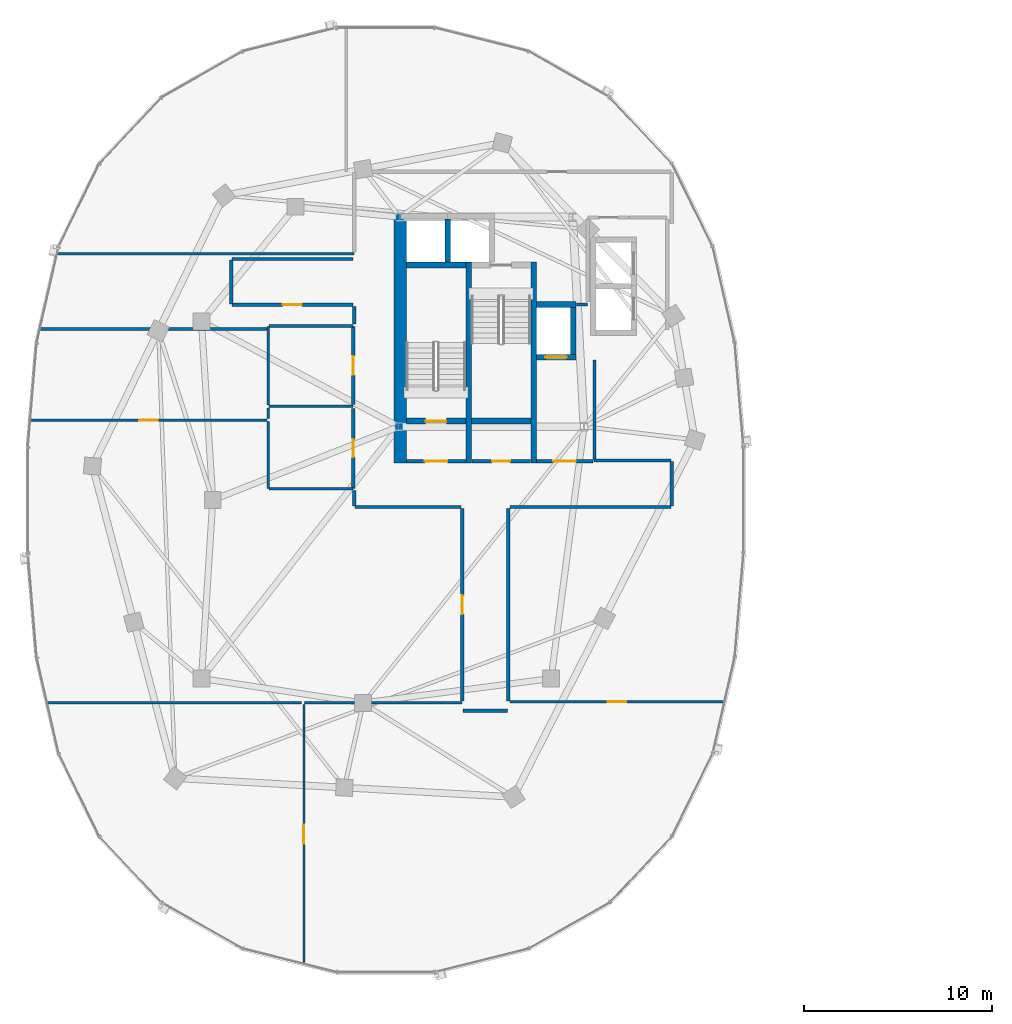
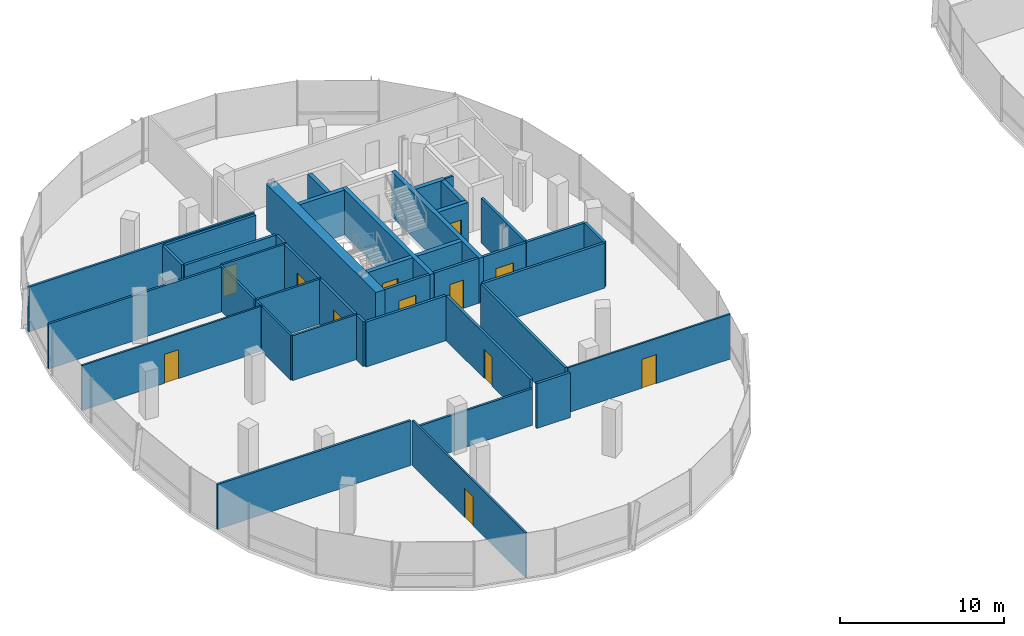
# One storey, part 15 of 25: 42 walls, 12 doors, 12 openings.
"""IFC4 building model written with IfcOpenShell, lengths in metres."""

from ifc_helpers import new_model, si_unit, direction, frame, frame_2d, origin, place, context, subcontext, project, spatial, rectangle, extrude, material, layer, layer_set, type_object, element, fill, save


model = new_model("IFC4")

# Units and contexts
model_context = context("Model", 3, precision=1e-05, world=origin(), true_north=direction((0.0, 1.0)))
body_context = subcontext(model_context, "Body", "Model", "MODEL_VIEW")
ifc_project = project(units=[si_unit("LENGTHUNIT", "METRE"), si_unit("AREAUNIT", "SQUARE_METRE"), si_unit("VOLUMEUNIT", "CUBIC_METRE"), si_unit("PLANEANGLEUNIT", "RADIAN"), si_unit("MASSUNIT", "GRAM", prefix="KILO"), si_unit("THERMODYNAMICTEMPERATUREUNIT", "KELVIN"), si_unit("POWERUNIT", "WATT")], contexts=[model_context])

# Site, building, storey
site_placement = place(None, origin())
site = spatial("IfcSite", under=ifc_project, at=site_placement, CompositionType="ELEMENT")
building_placement = place(site_placement, origin())
building = spatial("IfcBuilding", under=site, at=building_placement, Name="Cundina Bronze Exchange", CompositionType="ELEMENT")
storey_placement = place(building_placement, frame((0.0, 0.0, 217.0)))
storey = spatial("IfcBuildingStorey", under=building, at=storey_placement, Name="L57", CompositionType="ELEMENT", Elevation=217.0)

# Wall
ifc_material_1 = material(Name="Gypsum Fireboard Partition EI120")
ifc_layer_1 = layer(ifc_material_1, 0.179931640625, Name="Gypsum Fireboard Partition EI120")
ifc_layer_set_1 = layer_set([ifc_layer_1], Name="Gypsum Fireboard Partition EI120")
wall_type_1 = type_object("IfcWallType", Name="WL-COR-180", PredefinedType="PARTITIONING", material=ifc_layer_set_1)
wall_1_placement = place(storey_placement, frame((-20.889892578125, 2.14990234375, 0.0), z_axis=(0.0, 0.0, 1.0), x_axis=(0.0, 1.0, 0.0)))
element("IfcWall", 1, at=wall_1_placement, inside=storey, type_object=wall_type_1, Name="L57 W Firefighting Lobby Side Wall", PredefinedType="PARTITIONING", context=body_context, shape_type="SweptSolid", body=[
    extrude(rectangle(XDim=5.300048828125, YDim=0.179931640625, at=frame_2d((2.64990234375, 0.0))), origin(), (0.0, 0.0, 1.0), 3.340087890625),
])

# Wall, opening, door
wall_2_placement = place(storey_placement, frame((-23.97998046875, 2.06005859375, 0.0), z_axis=(0.0, 0.0, 1.0), x_axis=(1.0, 0.0, 0.0)))
wall_2 = element("IfcWall", 2, at=wall_2_placement, inside=storey, type_object=wall_type_1, Name="L57 W Firefighting Lobby Exit Wall", PredefinedType="PARTITIONING", context=body_context, shape_type="SweptSolid", body=[
    extrude(rectangle(XDim=3.0, YDim=0.179931640625, at=frame_2d((1.5, 0.0))), origin(), (0.0, 0.0, 1.0), 3.340087890625),
])
opening_1_placement = place(wall_2_placement, frame((0.89990234375, 0.0, 0.0)))
opening_1 = element("IfcOpeningElement", 3, at=opening_1_placement, cuts=wall_2, Name="Opening DF-01", PredefinedType="OPENING", context=body_context, shape_type="SweptSolid", body=[
    extrude(rectangle(XDim=1.199951171875, YDim=2.14990234375, at=frame_2d((0.60009765625, 1.074951171875))), frame((0.0, 0.099853515625, 0.0), z_axis=(0.0, -1.0, 0.0), x_axis=(1.0, 0.0, 0.0)), (0.0, 0.0, 1.0), 0.199951171875),
])
ifc_material_2 = material(Name="Steel ASTM A36 Painted", Category="steel")
door_type_1 = type_object("IfcDoorType", Name="DR-FFL-1200", OperationType="NOTDEFINED", PredefinedType="DOOR", material=ifc_material_2)
door_1_placement = place(opening_1_placement, origin())
door_1 = element("IfcDoor", 4, at=door_1_placement, inside=storey, type_object=door_type_1, Name="L57 W Firefighting Lobby Door", OperationType="SINGLE_SWING_RIGHT", OverallHeight=2.14990234375, OverallWidth=1.199951171875, PredefinedType="DOOR", context=body_context, shape_type="SweptSolid", body=[
    extrude(rectangle(XDim=1.199951171875, YDim=2.14990234375, at=frame_2d((0.60009765625, 1.074951171875))), frame((0.0, 0.02490234375, 0.0), z_axis=(0.0, -1.0, 0.0), x_axis=(1.0, 0.0, 0.0)), (0.0, 0.0, 1.0), 0.050048828125),
])
fill(opening_1, door_1)

wall_3_placement = place(storey_placement, frame((-30.89990234375, 2.06005859375, 0.0), z_axis=(0.0, 0.0, 1.0), x_axis=(1.0, 0.0, 0.0)))
wall_3 = element("IfcWall", 5, at=wall_3_placement, inside=storey, type_object=wall_type_1, Name="L57 W Stair Vestibule Exit Wall", PredefinedType="PARTITIONING", context=body_context, shape_type="SweptSolid", body=[
    extrude(rectangle(XDim=3.159912109375, YDim=0.179931640625, at=frame_2d((1.580078125, 0.0))), origin(), (0.0, 0.0, 1.0), 3.340087890625),
])
opening_2_placement = place(wall_3_placement, frame((0.97998046875, 0.0, 0.0)))
opening_2 = element("IfcOpeningElement", 6, at=opening_2_placement, cuts=wall_3, Name="Opening DF-01", PredefinedType="OPENING", context=body_context, shape_type="SweptSolid", body=[
    extrude(rectangle(XDim=1.199951171875, YDim=2.14990234375, at=frame_2d((0.60009765625, 1.074951171875))), frame((0.0, 0.099853515625, 0.0), z_axis=(0.0, -1.0, 0.0), x_axis=(1.0, 0.0, 0.0)), (0.0, 0.0, 1.0), 0.199951171875),
])
door_2_placement = place(opening_2_placement, origin())
door_2 = element("IfcDoor", 7, at=door_2_placement, inside=storey, type_object=door_type_1, Name="L57 W Stair Vestibule Door", OperationType="SINGLE_SWING_LEFT", OverallHeight=2.14990234375, OverallWidth=1.199951171875, PredefinedType="DOOR", context=body_context, shape_type="SweptSolid", body=[
    extrude(rectangle(XDim=1.199951171875, YDim=2.14990234375, at=frame_2d((0.60009765625, 1.074951171875))), frame((0.0, 0.02490234375, 0.0), z_axis=(0.0, -1.0, 0.0), x_axis=(1.0, 0.0, 0.0)), (0.0, 0.0, 1.0), 0.050048828125),
])
fill(opening_2, door_2)

wall_4_placement = place(storey_placement, frame((-27.419921875, 2.070068359375, 0.0), z_axis=(0.0, 0.0, 1.0), x_axis=(1.0, 0.0, 0.0)))
wall_4 = element("IfcWall", 8, at=wall_4_placement, inside=storey, type_object=wall_type_1, Name="L57 Interior Partition 006", PredefinedType="PARTITIONING", context=body_context, shape_type="SweptSolid", body=[
    extrude(rectangle(XDim=3.119873046875, YDim=0.179931640625, at=frame_2d((1.56005859375, 0.0))), origin(), (0.0, 0.0, 1.0), 3.340087890625),
])
opening_3_placement = place(wall_4_placement, frame((1.0849609375, 0.0, 0.0)))
opening_3 = element("IfcOpeningElement", 9, at=opening_3_placement, cuts=wall_4, Name="Opening DW-01", PredefinedType="OPENING", context=body_context, shape_type="SweptSolid", body=[
    extrude(rectangle(XDim=0.949951171875, YDim=2.10009765625, at=frame_2d((0.47509765625, 1.050048828125))), frame((0.0, 0.099853515625, 0.0), z_axis=(0.0, -1.0, 0.0), x_axis=(1.0, 0.0, 0.0)), (0.0, 0.0, 1.0), 0.199951171875),
])
ifc_material_3 = material(Name="Solid Andean Oak Timber Grade A", Category="wood")
door_type_2 = type_object("IfcDoorType", Name="DR-WC-950", OperationType="NOTDEFINED", PredefinedType="DOOR", material=ifc_material_3)
door_3_placement = place(opening_3_placement, origin())
door_3 = element("IfcDoor", 10, at=door_3_placement, inside=storey, type_object=door_type_2, Name="L57 Interior Door 006", OperationType="SINGLE_SWING_RIGHT", OverallHeight=2.10009765625, OverallWidth=0.949951171875, PredefinedType="DOOR", context=body_context, shape_type="SweptSolid", body=[
    extrude(rectangle(XDim=0.949951171875, YDim=2.10009765625, at=frame_2d((0.47509765625, 1.050048828125))), frame((0.0, 0.02490234375, 0.0), z_axis=(0.0, -1.0, 0.0), x_axis=(1.0, 0.0, 0.0)), (0.0, 0.0, 1.0), 0.050048828125),
])
fill(opening_3, door_3)

wall_5_placement = place(storey_placement, frame((-33.719970703125, 0.6201171875, 0.0), z_axis=(0.0, 0.0, 1.0), x_axis=(0.0, 1.0, 0.0)))
wall_5 = element("IfcWall", 11, at=wall_5_placement, inside=storey, type_object=wall_type_1, Name="L57 Interior Partition 013", PredefinedType="PARTITIONING", context=body_context, shape_type="SweptSolid", body=[
    extrude(rectangle(XDim=4.259765625, YDim=0.179931640625, at=frame_2d((2.1298828125, 0.0))), origin(), (0.0, 0.0, 1.0), 3.340087890625),
])
opening_4_placement = place(wall_5_placement, frame((1.655029296875, 0.0, 0.0)))
opening_4 = element("IfcOpeningElement", 12, at=opening_4_placement, cuts=wall_5, Name="Opening DW-01", PredefinedType="OPENING", context=body_context, shape_type="SweptSolid", body=[
    extrude(rectangle(XDim=0.949951171875, YDim=2.10009765625, at=frame_2d((0.47509765625, 1.050048828125))), frame((0.0, 0.099853515625, 0.0), z_axis=(0.0, -1.0, 0.0), x_axis=(1.0, 0.0, 0.0)), (0.0, 0.0, 1.0), 0.199951171875),
])
door_4_placement = place(opening_4_placement, origin())
door_4 = element("IfcDoor", 13, at=door_4_placement, inside=storey, type_object=door_type_2, Name="L57 Interior Door 013", OperationType="SINGLE_SWING_RIGHT", OverallHeight=2.10009765625, OverallWidth=0.949951171875, PredefinedType="DOOR", context=body_context, shape_type="SweptSolid", body=[
    extrude(rectangle(XDim=0.949951171875, YDim=2.10009765625, at=frame_2d((0.47509765625, 1.050048828125))), frame((0.0, 0.02490234375, 0.0), z_axis=(0.0, -1.0, 0.0), x_axis=(1.0, 0.0, 0.0)), (0.0, 0.0, 1.0), 0.050048828125),
])
fill(opening_4, door_4)

wall_6_placement = place(storey_placement, frame((-33.719970703125, 5.080078125, 0.0), z_axis=(0.0, 0.0, 1.0), x_axis=(0.0, 1.0, 0.0)))
wall_6 = element("IfcWall", 14, at=wall_6_placement, inside=storey, type_object=wall_type_1, Name="L57 Interior Partition 014", PredefinedType="PARTITIONING", context=body_context, shape_type="SweptSolid", body=[
    extrude(rectangle(XDim=4.159912109375, YDim=0.179931640625, at=frame_2d((2.080078125, 0.0))), origin(), (0.0, 0.0, 1.0), 3.340087890625),
])
opening_5_placement = place(wall_6_placement, frame((1.580078125, 0.0, 0.0)))
opening_5 = element("IfcOpeningElement", 15, at=opening_5_placement, cuts=wall_6, Name="Opening DO-01", PredefinedType="OPENING", context=body_context, shape_type="SweptSolid", body=[
    extrude(rectangle(XDim=1.0, YDim=2.14990234375, at=frame_2d((0.5, 1.074951171875))), frame((0.0, 0.099853515625, 0.0), z_axis=(0.0, -1.0, 0.0), x_axis=(1.0, 0.0, 0.0)), (0.0, 0.0, 1.0), 0.199951171875),
])
door_type_3 = type_object("IfcDoorType", Name="DR-OFF-1000", OperationType="NOTDEFINED", PredefinedType="DOOR", material=ifc_material_3)
door_5_placement = place(opening_5_placement, origin())
door_5 = element("IfcDoor", 16, at=door_5_placement, inside=storey, type_object=door_type_3, Name="L57 Interior Door 014", OperationType="SINGLE_SWING_RIGHT", OverallHeight=2.14990234375, OverallWidth=1.0, PredefinedType="DOOR", context=body_context, shape_type="SweptSolid", body=[
    extrude(rectangle(XDim=1.0, YDim=2.14990234375, at=frame_2d((0.5, 1.074951171875))), frame((0.0, 0.02490234375, 0.0), z_axis=(0.0, -1.0, 0.0), x_axis=(1.0, 0.0, 0.0)), (0.0, 0.0, 1.0), 0.050048828125),
])
fill(opening_5, door_5)

# Wall
wall_7_placement = place(storey_placement, frame((-27.87841796875, -11.219970703125, 0.0), z_axis=(0.0, 0.0, 1.0), x_axis=(1.0, 0.0, 0.0)))
element("IfcWall", 17, at=wall_7_placement, inside=storey, type_object=wall_type_1, Name="L57 Interior Partition 020", PredefinedType="PARTITIONING", context=body_context, shape_type="SweptSolid", body=[
    extrude(rectangle(XDim=2.35693359375, YDim=0.179931640625, at=frame_2d((1.178466796875, 0.0))), origin(), (0.0, 0.0, 1.0), 3.340087890625),
])

# Wall, opening, door
wall_8_placement = place(storey_placement, frame((-27.919921875, -0.449951171875, 0.0), z_axis=(0.0, 0.0, 1.0), x_axis=(0.0, -1.0, 0.0)))
wall_8 = element("IfcWall", 18, at=wall_8_placement, inside=storey, type_object=wall_type_1, Name="L57 Interior Partition 021", PredefinedType="PARTITIONING", context=body_context, shape_type="SweptSolid", body=[
    extrude(rectangle(XDim=10.25, YDim=0.179931640625, at=frame_2d((5.125, 0.0))), origin(), (0.0, 0.0, 1.0), 3.340087890625),
])
opening_6_placement = place(wall_8_placement, frame((4.625, 0.0, 0.0)))
opening_6 = element("IfcOpeningElement", 19, at=opening_6_placement, cuts=wall_8, Name="Opening DO-01", PredefinedType="OPENING", context=body_context, shape_type="SweptSolid", body=[
    extrude(rectangle(XDim=1.0, YDim=2.14990234375, at=frame_2d((0.5, 1.074951171875))), frame((0.0, 0.099853515625, 0.0), z_axis=(0.0, -1.0, 0.0), x_axis=(1.0, 0.0, 0.0)), (0.0, 0.0, 1.0), 0.199951171875),
])
door_6_placement = place(opening_6_placement, origin())
door_6 = element("IfcDoor", 20, at=door_6_placement, inside=storey, type_object=door_type_3, Name="L57 Interior Door 021", OperationType="SINGLE_SWING_LEFT", OverallHeight=2.14990234375, OverallWidth=1.0, PredefinedType="DOOR", context=body_context, shape_type="SweptSolid", body=[
    extrude(rectangle(XDim=1.0, YDim=2.14990234375, at=frame_2d((0.5, 1.074951171875))), frame((0.0, 0.02490234375, 0.0), z_axis=(0.0, -1.0, 0.0), x_axis=(1.0, 0.0, 0.0)), (0.0, 0.0, 1.0), 0.050048828125),
])
fill(opening_6, door_6)

# Walls
wall_9_placement = place(storey_placement, frame((-33.62841796875, -0.3701171875, 0.0), z_axis=(0.0, 0.0, 1.0), x_axis=(1.0, 0.0, 0.0)))
element("IfcWall", 21, at=wall_9_placement, inside=storey, type_object=wall_type_1, Name="L57 Interior Partition 022", PredefinedType="PARTITIONING", context=body_context, shape_type="SweptSolid", body=[
    extrude(rectangle(XDim=5.62841796875, YDim=0.179931640625, at=frame_2d((2.814208984375, 0.0))), origin(), (0.0, 0.0, 1.0), 3.340087890625),
])
wall_10_placement = place(storey_placement, frame((-33.669921875, 0.508544921875, 0.0), z_axis=(0.0, 0.0, 1.0), x_axis=(0.0, -1.0, 0.0)))
element("IfcWall", 22, at=wall_10_placement, inside=storey, type_object=wall_type_1, Name="L57 Interior Partition 023", PredefinedType="PARTITIONING", context=body_context, shape_type="SweptSolid", body=[
    extrude(rectangle(XDim=0.837158203125, YDim=0.179931640625, at=frame_2d((0.41845703125, 0.0))), origin(), (0.0, 0.0, 1.0), 3.340087890625),
])
wall_11_placement = place(storey_placement, frame((-25.47998046875, -10.699951171875, 0.0), z_axis=(0.0, 0.0, 1.0), x_axis=(0.0, 1.0, 0.0)))
element("IfcWall", 23, at=wall_11_placement, inside=storey, type_object=wall_type_1, Name="L57 Interior Partition 025", PredefinedType="PARTITIONING", context=body_context, shape_type="SweptSolid", body=[
    extrude(rectangle(XDim=10.25, YDim=0.179931640625, at=frame_2d((5.125, 0.0))), origin(), (0.0, 0.0, 1.0), 3.340087890625),
])
wall_12_placement = place(storey_placement, frame((-25.39990234375, -0.3701171875, 0.0), z_axis=(0.0, 0.0, 1.0), x_axis=(1.0, 0.0, 0.0)))
element("IfcWall", 24, at=wall_12_placement, inside=storey, type_object=wall_type_1, Name="L57 Interior Partition 026", PredefinedType="PARTITIONING", context=body_context, shape_type="SweptSolid", body=[
    extrude(rectangle(XDim=8.578369140625, YDim=0.179931640625, at=frame_2d((4.2890625, 0.0))), origin(), (0.0, 0.0, 1.0), 3.340087890625),
])
wall_13_placement = place(storey_placement, frame((-16.821533203125, 2.10009765625, 0.0), z_axis=(0.0, 0.0, 1.0), x_axis=(-1.0, 0.0, 0.0)))
element("IfcWall", 25, at=wall_13_placement, inside=storey, type_object=wall_type_1, Name="L57 Interior Partition 028", PredefinedType="PARTITIONING", context=body_context, shape_type="SweptSolid", body=[
    extrude(rectangle(XDim=4.098388671875, YDim=0.179931640625, at=frame_2d((2.04931640625, 0.0))), origin(), (0.0, 0.0, 1.0), 3.340087890625),
])
wall_14_placement = place(storey_placement, frame((-16.780029296875, -0.32861328125, 0.0), z_axis=(0.0, 0.0, 1.0), x_axis=(0.0, 1.0, 0.0)))
element("IfcWall", 26, at=wall_14_placement, inside=storey, type_object=wall_type_1, Name="L57 Interior Partition 030", PredefinedType="PARTITIONING", context=body_context, shape_type="SweptSolid", body=[
    extrude(rectangle(XDim=2.38720703125, YDim=0.179931640625, at=frame_2d((1.193603515625, 0.0))), origin(), (0.0, 0.0, 1.0), 3.340087890625),
])
wall_15_placement = place(storey_placement, frame((-33.75, 12.820068359375, 0.0), z_axis=(0.0, 0.0, 1.0), x_axis=(-1.0, 0.0, 0.0)))
element("IfcWall", 27, at=wall_15_placement, inside=storey, type_object=wall_type_1, Name="L57 Interior Partition 031", PredefinedType="PARTITIONING", context=body_context, shape_type="SweptSolid", body=[
    extrude(rectangle(XDim=6.428466796875, YDim=0.179931640625, at=frame_2d((3.21435546875, 0.0))), origin(), (0.0, 0.0, 1.0), 3.340087890625),
])

# Wall, opening, door
wall_16_placement = place(storey_placement, frame((-40.178466796875, 10.3798828125, 0.0), z_axis=(0.0, 0.0, 1.0), x_axis=(1.0, 0.0, 0.0)))
wall_16 = element("IfcWall", 28, at=wall_16_placement, inside=storey, type_object=wall_type_1, Name="L57 Interior Partition 032", PredefinedType="PARTITIONING", context=body_context, shape_type="SweptSolid", body=[
    extrude(rectangle(XDim=6.428466796875, YDim=0.179931640625, at=frame_2d((3.21435546875, 0.0))), origin(), (0.0, 0.0, 1.0), 3.340087890625),
])
opening_7_placement = place(wall_16_placement, frame((2.714111328125, 0.0, 0.0)))
opening_7 = element("IfcOpeningElement", 29, at=opening_7_placement, cuts=wall_16, Name="Opening DO-01", PredefinedType="OPENING", context=body_context, shape_type="SweptSolid", body=[
    extrude(rectangle(XDim=1.0, YDim=2.14990234375, at=frame_2d((0.5, 1.074951171875))), frame((0.0, 0.099853515625, 0.0), z_axis=(0.0, -1.0, 0.0), x_axis=(1.0, 0.0, 0.0)), (0.0, 0.0, 1.0), 0.199951171875),
])
door_7_placement = place(opening_7_placement, origin())
door_7 = element("IfcDoor", 30, at=door_7_placement, inside=storey, type_object=door_type_3, Name="L57 Interior Door 032", OperationType="SINGLE_SWING_RIGHT", OverallHeight=2.14990234375, OverallWidth=1.0, PredefinedType="DOOR", context=body_context, shape_type="SweptSolid", body=[
    extrude(rectangle(XDim=1.0, YDim=2.14990234375, at=frame_2d((0.5, 1.074951171875))), frame((0.0, 0.02490234375, 0.0), z_axis=(0.0, -1.0, 0.0), x_axis=(1.0, 0.0, 0.0)), (0.0, 0.0, 1.0), 0.050048828125),
])
fill(opening_7, door_7)

# Walls
wall_17_placement = place(storey_placement, frame((-40.219970703125, 12.778564453125, 0.0), z_axis=(0.0, 0.0, 1.0), x_axis=(0.0, -1.0, 0.0)))
element("IfcWall", 31, at=wall_17_placement, inside=storey, type_object=wall_type_1, Name="L57 Interior Partition 033", PredefinedType="PARTITIONING", context=body_context, shape_type="SweptSolid", body=[
    extrude(rectangle(XDim=2.357177734375, YDim=0.179931640625, at=frame_2d((1.1787109375, 0.0))), origin(), (0.0, 0.0, 1.0), 3.340087890625),
])
wall_18_placement = place(storey_placement, frame((-33.669921875, 10.300048828125, 0.0), z_axis=(0.0, 0.0, 1.0), x_axis=(0.0, -1.0, 0.0)))
element("IfcWall", 32, at=wall_18_placement, inside=storey, type_object=wall_type_1, Name="L57 Interior Partition 034", PredefinedType="PARTITIONING", context=body_context, shape_type="SweptSolid", body=[
    extrude(rectangle(XDim=0.94873046875, YDim=0.179931640625, at=frame_2d((0.474365234375, 0.0))), origin(), (0.0, 0.0, 1.0), 3.340087890625),
])
ifc_material_4 = material(Name="Concrete C50/60", Category="concrete")
ifc_layer_2 = layer(ifc_material_4, 0.64990234375, Name="Concrete C50/60", Category="concrete")
ifc_layer_set_2 = layer_set([ifc_layer_2], Name="Concrete C50/60")
wall_type_2 = type_object("IfcWallType", Name="WL-CORE-650", PredefinedType="SHEAR", material=ifc_layer_set_2)
wall_19_placement = place(storey_placement, frame((-31.22509765625, 1.969970703125, 0.0), z_axis=(0.0, 0.0, 1.0), x_axis=(0.0, 1.0, 0.0)))
element("IfcWall", 33, at=wall_19_placement, inside=storey, type_object=wall_type_2, Name="L57 W Primary Core Shear Spine Wall", PredefinedType="SHEAR", context=body_context, shape_type="SweptSolid", body=[
    extrude(rectangle(XDim=13.330078125, YDim=0.64990234375, at=frame_2d((6.6650390625, 0.0))), origin(), (0.0, 0.0, 1.0), 3.340087890625),
])

# Wall, opening, door
ifc_material_5 = material(Name="Gypsum Acoustic Partition EI60")
ifc_layer_3 = layer(ifc_material_5, 0.125, Name="Gypsum Acoustic Partition EI60")
ifc_layer_set_3 = layer_set([ifc_layer_3], Name="Gypsum Acoustic Partition EI60")
wall_type_3 = type_object("IfcWallType", Name="WL-OFF-125", PredefinedType="PARTITIONING", material=ifc_layer_set_3)
wall_20_placement = place(storey_placement, frame((-25.39990234375, -10.739990234375, 0.0), z_axis=(0.0, 0.0, 1.0), x_axis=(1.0, 0.0, 0.0)))
wall_20 = element("IfcWall", 34, at=wall_20_placement, inside=storey, type_object=wall_type_3, Name="L57 Interior Partition 035", PredefinedType="PARTITIONING", context=body_context, shape_type="SweptSolid", body=[
    extrude(rectangle(XDim=11.414794921875, YDim=0.125, at=frame_2d((5.70751953125, 0.0))), origin(), (0.0, 0.0, 1.0), 3.340087890625),
])
opening_8_placement = place(wall_20_placement, frame((5.20751953125, 0.0, 0.0)))
opening_8 = element("IfcOpeningElement", 35, at=opening_8_placement, cuts=wall_20, Name="Opening DO-01", PredefinedType="OPENING", context=body_context, shape_type="SweptSolid", body=[
    extrude(rectangle(XDim=1.0, YDim=2.14990234375, at=frame_2d((0.5, 1.074951171875))), frame((0.0, 0.072509765625, 0.0), z_axis=(0.0, -1.0, 0.0), x_axis=(1.0, 0.0, 0.0)), (0.0, 0.0, 1.0), 0.14501953125),
])
door_8_placement = place(opening_8_placement, origin())
door_8 = element("IfcDoor", 36, at=door_8_placement, inside=storey, type_object=door_type_3, Name="L57 Interior Door 035", OperationType="SINGLE_SWING_RIGHT", OverallHeight=2.14990234375, OverallWidth=1.0, PredefinedType="DOOR", context=body_context, shape_type="SweptSolid", body=[
    extrude(rectangle(XDim=1.0, YDim=2.14990234375, at=frame_2d((0.5, 1.074951171875))), frame((0.0, 0.02490234375, 0.0), z_axis=(0.0, -1.0, 0.0), x_axis=(1.0, 0.0, 0.0)), (0.0, 0.0, 1.0), 0.050048828125),
])
fill(opening_8, door_8)

wall_21_placement = place(storey_placement, frame((-36.35009765625, -10.8798828125, 0.0), z_axis=(0.0, 0.0, 1.0), x_axis=(0.0, -1.0, 0.0)))
wall_21 = element("IfcWall", 37, at=wall_21_placement, inside=storey, type_object=wall_type_3, Name="L57 Interior Partition 036", PredefinedType="PARTITIONING", context=body_context, shape_type="SweptSolid", body=[
    extrude(rectangle(XDim=13.794189453125, YDim=0.125, at=frame_2d((6.89697265625, 0.0))), origin(), (0.0, 0.0, 1.0), 3.340087890625),
])
opening_9_placement = place(wall_21_placement, frame((6.39697265625, 0.0, 0.0)))
opening_9 = element("IfcOpeningElement", 38, at=opening_9_placement, cuts=wall_21, Name="Opening DO-01", PredefinedType="OPENING", context=body_context, shape_type="SweptSolid", body=[
    extrude(rectangle(XDim=1.0, YDim=2.14990234375, at=frame_2d((0.5, 1.074951171875))), frame((0.0, 0.072509765625, 0.0), z_axis=(0.0, -1.0, 0.0), x_axis=(1.0, 0.0, 0.0)), (0.0, 0.0, 1.0), 0.14501953125),
])
door_9_placement = place(opening_9_placement, origin())
door_9 = element("IfcDoor", 39, at=door_9_placement, inside=storey, type_object=door_type_3, Name="L57 Interior Door 036", OperationType="SINGLE_SWING_LEFT", OverallHeight=2.14990234375, OverallWidth=1.0, PredefinedType="DOOR", context=body_context, shape_type="SweptSolid", body=[
    extrude(rectangle(XDim=1.0, YDim=2.14990234375, at=frame_2d((0.5, 1.074951171875))), frame((0.0, 0.02490234375, 0.0), z_axis=(0.0, -1.0, 0.0), x_axis=(1.0, 0.0, 0.0)), (0.0, 0.0, 1.0), 0.050048828125),
])
fill(opening_9, door_9)

wall_22_placement = place(storey_placement, frame((-38.320068359375, 4.25, 0.0), z_axis=(0.0, 0.0, 1.0), x_axis=(-1.0, 0.0, 0.0)))
wall_22 = element("IfcWall", 40, at=wall_22_placement, inside=storey, type_object=wall_type_3, Name="L57 Interior Partition 037", PredefinedType="PARTITIONING", context=body_context, shape_type="SweptSolid", body=[
    extrude(rectangle(XDim=12.600341796875, YDim=0.125, at=frame_2d((6.30029296875, 0.0))), origin(), (0.0, 0.0, 1.0), 3.340087890625),
])
opening_10_placement = place(wall_22_placement, frame((5.80029296875, 0.0, 0.0)))
opening_10 = element("IfcOpeningElement", 41, at=opening_10_placement, cuts=wall_22, Name="Opening DO-01", PredefinedType="OPENING", context=body_context, shape_type="SweptSolid", body=[
    extrude(rectangle(XDim=1.0, YDim=2.14990234375, at=frame_2d((0.5, 1.074951171875))), frame((0.0, 0.072509765625, 0.0), z_axis=(0.0, -1.0, 0.0), x_axis=(1.0, 0.0, 0.0)), (0.0, 0.0, 1.0), 0.14501953125),
])
door_10_placement = place(opening_10_placement, origin())
door_10 = element("IfcDoor", 42, at=door_10_placement, inside=storey, type_object=door_type_3, Name="L57 Interior Door 037", OperationType="SINGLE_SWING_RIGHT", OverallHeight=2.14990234375, OverallWidth=1.0, PredefinedType="DOOR", context=body_context, shape_type="SweptSolid", body=[
    extrude(rectangle(XDim=1.0, YDim=2.14990234375, at=frame_2d((0.5, 1.074951171875))), frame((0.0, 0.02490234375, 0.0), z_axis=(0.0, -1.0, 0.0), x_axis=(1.0, 0.0, 0.0)), (0.0, 0.0, 1.0), 0.050048828125),
])
fill(opening_10, door_10)

# Walls
ifc_layer_4 = layer(ifc_material_4, 0.300048828125, Name="Concrete C50/60", Category="concrete")
ifc_layer_set_4 = layer_set([ifc_layer_4], Name="Concrete C50/60")
wall_type_4 = type_object("IfcWallType", Name="WL-SHFT-300", PredefinedType="SHEAR", material=ifc_layer_set_4)
for number, where, z_axis, x_axis, name in (
    (43, (-27.590087890625, 1.969970703125, 0.0), (0.0, 0.0, 1.0), (0.0, 1.0, 0.0), "L57 W Stair Shaft Dividing Shear Wall"),
    (44, (-24.1298828125, 1.969970703125, 0.0), (0.0, 0.0, 1.0), (0.0, 1.0, 0.0), "L57 W Stair 2 East Shear Wall"),
):
    element("IfcWall", number, at=place(storey_placement, frame(where, z_axis=z_axis, x_axis=x_axis)), inside=storey, type_object=wall_type_4, Name=name, PredefinedType="SHEAR", context=body_context, shape_type="SweptSolid", body=[
        extrude(rectangle(XDim=10.679931640625, YDim=0.300048828125, at=frame_2d((5.33984375, 0.0))), origin(), (0.0, 0.0, 1.0), 3.340087890625),
    ])

# Wall, opening, door
wall_23_placement = place(storey_placement, frame((-30.89990234375, 4.199951171875, 0.0), z_axis=(0.0, 0.0, 1.0), x_axis=(1.0, 0.0, 0.0)))
wall_23 = element("IfcWall", 45, at=wall_23_placement, inside=storey, type_object=wall_type_4, Name="L57 Stair W1 Landing Wall", PredefinedType="SHEAR", context=body_context, shape_type="SweptSolid", body=[
    extrude(rectangle(XDim=3.159912109375, YDim=0.300048828125, at=frame_2d((1.580078125, 0.0))), origin(), (0.0, 0.0, 1.0), 3.340087890625),
])
opening_11_placement = place(wall_23_placement, frame((1.030029296875, 0.0, 0.0)))
opening_11 = element("IfcOpeningElement", 46, at=opening_11_placement, cuts=wall_23, Name="Opening DS-01", PredefinedType="OPENING", context=body_context, shape_type="SweptSolid", body=[
    extrude(rectangle(XDim=1.10009765625, YDim=2.14990234375, at=frame_2d((0.550048828125, 1.074951171875))), frame((0.0, 0.159912109375, 0.0), z_axis=(0.0, -1.0, 0.0), x_axis=(1.0, 0.0, 0.0)), (0.0, 0.0, 1.0), 0.320068359375),
])
door_type_4 = type_object("IfcDoorType", Name="DR-STR-1100", OperationType="NOTDEFINED", PredefinedType="DOOR", material=ifc_material_2)
door_11_placement = place(opening_11_placement, origin())
door_11 = element("IfcDoor", 47, at=door_11_placement, inside=storey, type_object=door_type_4, Name="L57 Smokeproof Stair W1 Door", OperationType="SINGLE_SWING_RIGHT", OverallHeight=2.14990234375, OverallWidth=1.10009765625, PredefinedType="DOOR", context=body_context, shape_type="SweptSolid", body=[
    extrude(rectangle(XDim=1.10009765625, YDim=2.14990234375, at=frame_2d((0.550048828125, 1.074951171875))), frame((0.0, 0.02490234375, 0.0), z_axis=(0.0, -1.0, 0.0), x_axis=(1.0, 0.0, 0.0)), (0.0, 0.0, 1.0), 0.050048828125),
])
fill(opening_11, door_11)

# Walls
for number, where, z_axis, x_axis, name in (
    (48, (-30.89990234375, 12.5, 0.0), (0.0, 0.0, 1.0), (1.0, 0.0, 0.0), "L57 Stair W1 Far Shaft Wall"),
    (49, (-27.43994140625, 4.199951171875, 0.0), (0.0, 0.0, 1.0), (1.0, 0.0, 0.0), "L57 Stair W2 Far Shaft Wall"),
):
    element("IfcWall", number, at=place(storey_placement, frame(where, z_axis=z_axis, x_axis=x_axis)), inside=storey, type_object=wall_type_4, Name=name, PredefinedType="SHEAR", context=body_context, shape_type="SweptSolid", body=[
        extrude(rectangle(XDim=3.159912109375, YDim=0.300048828125, at=frame_2d((1.580078125, 0.0))), origin(), (0.0, 0.0, 1.0), 3.340087890625),
    ])

# Wall, opening, door
wall_24_placement = place(storey_placement, frame((-23.97998046875, 7.60009765625, 0.0), z_axis=(0.0, 0.0, 1.0), x_axis=(1.0, 0.0, 0.0)))
wall_24 = element("IfcWall", 50, at=wall_24_placement, inside=storey, type_object=wall_type_4, Name="L57 FFL-W Hoistway Front Wall", PredefinedType="SHEAR", context=body_context, shape_type="SweptSolid", body=[
    extrude(rectangle(XDim=2.10009765625, YDim=0.300048828125, at=frame_2d((1.050048828125, 0.0))), origin(), (0.0, 0.0, 1.0), 3.340087890625),
])
opening_12_placement = place(wall_24_placement, frame((0.47509765625, 0.0, 0.0)))
opening_12 = element("IfcOpeningElement", 51, at=opening_12_placement, cuts=wall_24, Name="Opening LD-01", PredefinedType="OPENING", context=body_context, shape_type="SweptSolid", body=[
    extrude(rectangle(XDim=1.14990234375, YDim=2.199951171875, at=frame_2d((0.574951171875, 1.10009765625))), frame((0.0, 0.159912109375, 0.0), z_axis=(0.0, -1.0, 0.0), x_axis=(1.0, 0.0, 0.0)), (0.0, 0.0, 1.0), 0.320068359375),
])
door_type_5 = type_object("IfcDoorType", Name="DR-LND-1150", OperationType="NOTDEFINED", PredefinedType="TRAPDOOR", material=ifc_material_2)
door_12_placement = place(opening_12_placement, origin())
door_12 = element("IfcDoor", 52, at=door_12_placement, inside=storey, type_object=door_type_5, Name="L57 FFL-W Sliding Landing Door", OperationType="SLIDING_TO_LEFT", OverallHeight=2.199951171875, OverallWidth=1.14990234375, PredefinedType="TRAPDOOR", context=body_context, shape_type="SweptSolid", body=[
    extrude(rectangle(XDim=1.14990234375, YDim=2.199951171875, at=frame_2d((0.574951171875, 1.10009765625))), frame((0.0, 0.02490234375, 0.0), z_axis=(0.0, -1.0, 0.0), x_axis=(1.0, 0.0, 0.0)), (0.0, 0.0, 1.0), 0.050048828125),
])
fill(opening_12, door_12)

# Walls
wall_25_placement = place(storey_placement, frame((-23.97998046875, 10.39990234375, 0.0), z_axis=(0.0, 0.0, 1.0), x_axis=(1.0, 0.0, 0.0)))
element("IfcWall", 53, at=wall_25_placement, inside=storey, type_object=wall_type_4, Name="L57 FFL-W Hoistway Back Wall", PredefinedType="SHEAR", context=body_context, shape_type="SweptSolid", body=[
    extrude(rectangle(XDim=2.10009765625, YDim=0.300048828125, at=frame_2d((1.050048828125, 0.0))), origin(), (0.0, 0.0, 1.0), 3.340087890625),
])
wall_26_placement = place(storey_placement, frame((-22.030029296875, 7.75, 0.0), z_axis=(0.0, 0.0, 1.0), x_axis=(0.0, 1.0, 0.0)))
element("IfcWall", 54, at=wall_26_placement, inside=storey, type_object=wall_type_4, Name="L57 FFL-W Hoistway Side Wall", PredefinedType="SHEAR", context=body_context, shape_type="SweptSolid", body=[
    extrude(rectangle(XDim=2.5, YDim=0.300048828125, at=frame_2d((1.25, 0.0))), origin(), (0.0, 0.0, 1.0), 3.340087890625),
])
wall_27_placement = place(storey_placement, frame((-28.699951171875, 12.64990234375, 0.0), z_axis=(0.0, 0.0, 1.0), x_axis=(0.0, 1.0, 0.0)))
element("IfcWall", 55, at=wall_27_placement, inside=storey, type_object=wall_type_4, Name="L57 PH-W1 Hoistway Divider Wall", PredefinedType="SHEAR", context=body_context, shape_type="SweptSolid", body=[
    extrude(rectangle(XDim=2.300048828125, YDim=0.300048828125, at=frame_2d((1.14990234375, 0.0))), origin(), (0.0, 0.0, 1.0), 3.340087890625),
])
ifc_layer_5 = layer(ifc_material_5, 0.14990234375, Name="Gypsum Acoustic Partition EI60")
ifc_layer_set_5 = layer_set([ifc_layer_5], Name="Gypsum Acoustic Partition EI60")
wall_type_5 = type_object("IfcWallType", Name="WL-TEN-150", PredefinedType="PARTITIONING", material=ifc_layer_set_5)
wall_28_placement = place(storey_placement, frame((-50.082275390625, -10.7900390625, 0.0), z_axis=(0.0, 0.0, 1.0), x_axis=(1.0, 0.0, 0.0)))
element("IfcWall", 56, at=wall_28_placement, inside=storey, type_object=wall_type_5, Name="L57 Interior Partition 015", PredefinedType="PARTITIONING", context=body_context, shape_type="SweptSolid", body=[
    extrude(rectangle(XDim=13.59716796875, YDim=0.14990234375, at=frame_2d((6.798583984375, 0.0))), origin(), (0.0, 0.0, 1.0), 3.340087890625),
])
wall_29_placement = place(storey_placement, frame((-36.31494140625, -10.7900390625, 0.0), z_axis=(0.0, 0.0, 1.0), x_axis=(1.0, 0.0, 0.0)))
element("IfcWall", 57, at=wall_29_placement, inside=storey, type_object=wall_type_5, Name="L57 Interior Partition 016", PredefinedType="PARTITIONING", context=body_context, shape_type="SweptSolid", body=[
    extrude(rectangle(XDim=8.364990234375, YDim=0.14990234375, at=frame_2d((4.1826171875, 0.0))), origin(), (0.0, 0.0, 1.0), 2.72412109375),
])
wall_30_placement = place(storey_placement, frame((-50.469482421875, 9.10009765625, 0.0), z_axis=(0.0, 0.0, 1.0), x_axis=(1.0, 0.0, 0.0)))
element("IfcWall", 58, at=wall_30_placement, inside=storey, type_object=wall_type_5, Name="L57 Interior Partition 017", PredefinedType="PARTITIONING", context=body_context, shape_type="SweptSolid", body=[
    extrude(rectangle(XDim=12.199462890625, YDim=0.14990234375, at=frame_2d((6.099609375, 0.0))), origin(), (0.0, 0.0, 1.0), 3.340087890625),
])
wall_31_placement = place(storey_placement, frame((-49.552978515625, 13.10009765625, 0.0), z_axis=(0.0, 0.0, 1.0), x_axis=(1.0, 0.0, 0.0)))
element("IfcWall", 59, at=wall_31_placement, inside=storey, type_object=wall_type_5, Name="L57 Interior Partition 018", PredefinedType="PARTITIONING", context=body_context, shape_type="SweptSolid", body=[
    extrude(rectangle(XDim=15.85302734375, YDim=0.14990234375, at=frame_2d((7.926513671875, 0.0))), origin(), (0.0, 0.0, 1.0), 3.340087890625),
])
ifc_material_6 = material(Name="Moisture-Resistant Masonry Block Grade M15", Category="masonry")
ifc_layer_6 = layer(ifc_material_6, 0.139892578125, Name="Moisture-Resistant Masonry Block Grade M15", Category="masonry")
ifc_layer_set_6 = layer_set([ifc_layer_6], Name="Moisture-Resistant Masonry Block Grade M15")
wall_type_6 = type_object("IfcWallType", Name="WL-WET-140", PredefinedType="PARTITIONING", material=ifc_layer_set_6)
wall_32_placement = place(storey_placement, frame((-21.860107421875, 10.39990234375, 0.0), z_axis=(0.0, 0.0, 1.0), x_axis=(1.0, 0.0, 0.0)))
element("IfcWall", 60, at=wall_32_placement, inside=storey, type_object=wall_type_6, Name="L57 Interior Partition 004", PredefinedType="PARTITIONING", context=body_context, shape_type="SweptSolid", body=[
    extrude(rectangle(XDim=0.590087890625, YDim=0.139892578125, at=frame_2d((0.294921875, 0.0))), origin(), (0.0, 0.0, 1.0), 3.340087890625),
])
wall_33_placement = place(storey_placement, frame((-38.239990234375, 0.6201171875, 0.0), z_axis=(0.0, 0.0, 1.0), x_axis=(0.0, 1.0, 0.0)))
element("IfcWall", 61, at=wall_33_placement, inside=storey, type_object=wall_type_6, Name="L57 Interior Partition 007", PredefinedType="PARTITIONING", context=body_context, shape_type="SweptSolid", body=[
    extrude(rectangle(XDim=3.544921875, YDim=0.139892578125, at=frame_2d((1.7724609375, 0.0))), origin(), (0.0, 0.0, 1.0), 3.340087890625),
])
wall_34_placement = place(storey_placement, frame((-38.239990234375, 4.3349609375, 0.0), z_axis=(0.0, 0.0, 1.0), x_axis=(0.0, 1.0, 0.0)))
element("IfcWall", 62, at=wall_34_placement, inside=storey, type_object=wall_type_6, Name="L57 Interior Partition 008", PredefinedType="PARTITIONING", context=body_context, shape_type="SweptSolid", body=[
    extrude(rectangle(XDim=0.56005859375, YDim=0.139892578125, at=frame_2d((0.280029296875, 0.0))), origin(), (0.0, 0.0, 1.0), 3.340087890625),
])
wall_35_placement = place(storey_placement, frame((-38.239990234375, 5.06494140625, 0.0), z_axis=(0.0, 0.0, 1.0), x_axis=(0.0, 1.0, 0.0)))
element("IfcWall", 63, at=wall_35_placement, inside=storey, type_object=wall_type_6, Name="L57 Interior Partition 009", PredefinedType="PARTITIONING", context=body_context, shape_type="SweptSolid", body=[
    extrude(rectangle(XDim=4.175048828125, YDim=0.139892578125, at=frame_2d((2.08740234375, 0.0))), origin(), (0.0, 0.0, 1.0), 3.340087890625),
])
for number, where, z_axis, x_axis, name in (
    (64, (-38.219970703125, 0.60009765625, 0.0), (0.0, 0.0, 1.0), (1.0, 0.0, 0.0), "L57 Interior Partition 010"),
    (65, (-38.219970703125, 4.97998046875, 0.0), (0.0, 0.0, 1.0), (1.0, 0.0, 0.0), "L57 Interior Partition 011"),
    (66, (-38.219970703125, 9.260009765625, 0.0), (0.0, 0.0, 1.0), (1.0, 0.0, 0.0), "L57 Interior Partition 012"),
):
    element("IfcWall", number, at=place(storey_placement, frame(where, z_axis=z_axis, x_axis=x_axis)), inside=storey, type_object=wall_type_6, Name=name, PredefinedType="PARTITIONING", context=body_context, shape_type="SweptSolid", body=[
        extrude(rectangle(XDim=4.47998046875, YDim=0.139892578125, at=frame_2d((2.239990234375, 0.0))), origin(), (0.0, 0.0, 1.0), 3.340087890625),
    ])

save(model, "model.ifc")
